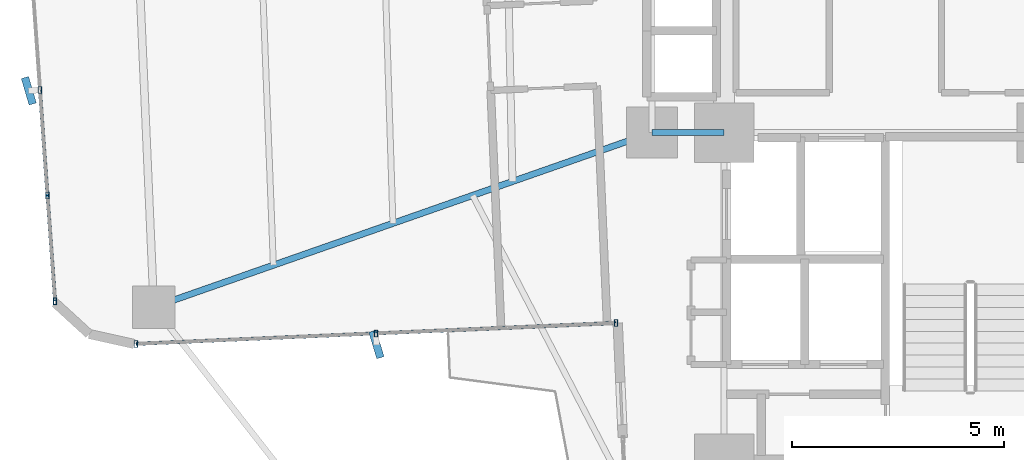
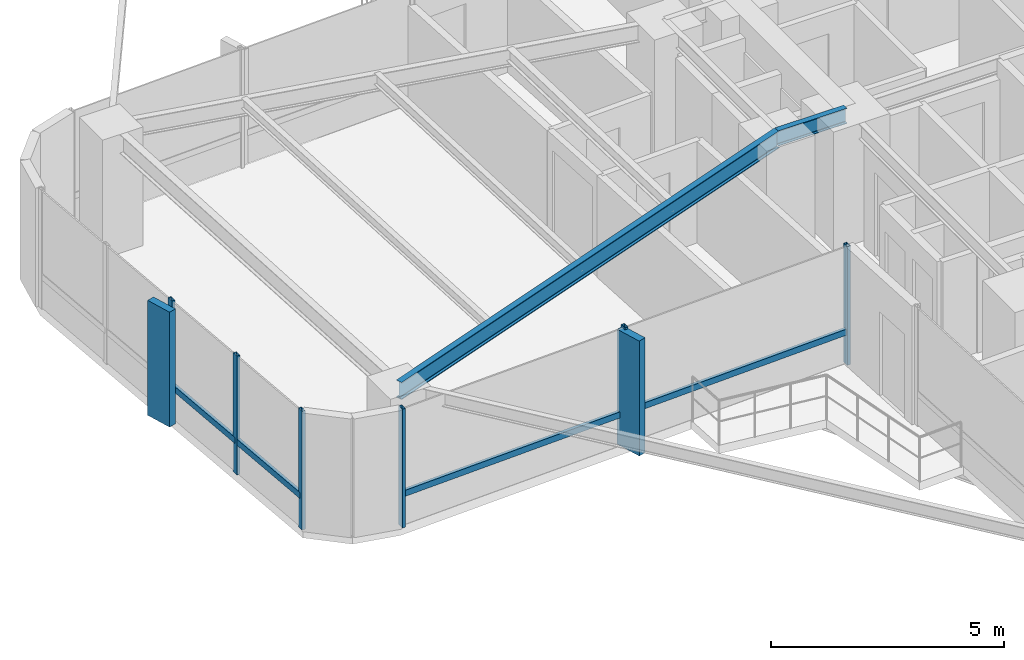
# One storey, part 8 of 26: 12 members, 2 beams, 2 elements without a shape of their own.
"""IFC4 building model written with IfcOpenShell, lengths in metres."""

from ifc_helpers import new_model, si_unit, direction, frame, origin, origin_2d, place, context, subcontext, project, spatial, rectangle, hollow_rectangle, i_section, extrude, source, transform, mapped, material, material_profile, profile_set, type_object, element, aggregate, save


model = new_model("IFC4")

# Units and contexts
model_context = context("Model", 3, precision=1e-05, world=origin(), true_north=direction((0.0, 1.0)))
body_context = subcontext(model_context, "Body", "Model", "MODEL_VIEW")
ifc_project = project(units=[si_unit("LENGTHUNIT", "METRE"), si_unit("AREAUNIT", "SQUARE_METRE"), si_unit("VOLUMEUNIT", "CUBIC_METRE"), si_unit("PLANEANGLEUNIT", "RADIAN"), si_unit("MASSUNIT", "GRAM", prefix="KILO")], contexts=[model_context])

# Site, building, storey
site_placement = place(None, origin())
site = spatial("IfcSite", under=ifc_project, at=site_placement, CompositionType="ELEMENT")
building_placement = place(site_placement, origin())
building = spatial("IfcBuilding", under=site, at=building_placement, Name="Sahyath Konkavel Grand Hotel", CompositionType="ELEMENT")
storey_placement = place(building_placement, frame((0.0, 0.0, 118.14990234375)))
storey = spatial("IfcBuildingStorey", under=building, at=storey_placement, Name="L32", CompositionType="ELEMENT", Elevation=118.14990234375)

# Beams
ifc_material_1 = material(Name="Steel E350", Category="steel")
ifc_material_profile_1 = material_profile(ifc_material_1, i_section(OverallWidth=0.139892578125, OverallDepth=0.39990234375, WebThickness=0.0087890625, FlangeThickness=0.01611328125, FilletRadius=0.013916015625, at=origin_2d()), Name="ISMB 400")
ifc_profile_set_1 = profile_set([ifc_material_profile_1], Name="Steel E350")
beam_type_1 = type_object("IfcBeamType", Name="BM-ISMB400", PredefinedType="BEAM", material=ifc_profile_set_1)
shared_shape_1 = source(origin(), body_context, "Body", "SweptSolid", [
    extrude(i_section(OverallWidth=0.139892578125, OverallDepth=0.39990234375, WebThickness=0.0087890625, FlangeThickness=0.01611328125, FilletRadius=0.013916015625, at=origin_2d()), origin(), (0.0, 0.0, 1.0), 1.699951171875),
])
beam_1_placement = place(storey_placement, frame((-5.5, -2.39990234375, 2.91015625), z_axis=(1.0, 0.0, 0.0), x_axis=(0.0, 1.0, 0.0)))
element("IfcBeam", 1, at=beam_1_placement, inside=storey, type_object=beam_type_1, Name="str:bm:L32:HB-SW", PredefinedType="BEAM", context=body_context, shape_type="MappedRepresentation", body=[
    mapped(shared_shape_1, transform((0.0, 0.0, 0.0), scale=1.0)),
])
ifc_material_profile_2 = material_profile(ifc_material_1, i_section(OverallWidth=0.14990234375, OverallDepth=0.449951171875, WebThickness=0.009521484375, FlangeThickness=0.017333984375, FilletRadius=0.014892578125, at=origin_2d()), Name="ISMB 450")
ifc_profile_set_2 = profile_set([ifc_material_profile_2], Name="Steel E350")
beam_type_2 = type_object("IfcBeamType", Name="BM-ISMB450", PredefinedType="BEAM", material=ifc_profile_set_2)
shared_shape_2 = source(origin(), body_context, "Body", "SweptSolid", [
    extrude(i_section(OverallWidth=0.14990234375, OverallDepth=0.449951171875, WebThickness=0.009521484375, FlangeThickness=0.017333984375, FilletRadius=0.014892578125, at=origin_2d()), origin(), (0.0, 0.0, 1.0), 12.430908203125),
])
beam_2_placement = place(storey_placement, frame((-5.5, -2.39990234375, 2.885009765625), z_axis=(-0.943819157235, -0.330462400941, 0.0), x_axis=(0.330462400941, -0.943819157235, 0.0)))
element("IfcBeam", 2, at=beam_2_placement, inside=storey, type_object=beam_type_2, Name="L32 Cruciform Radial Girder WB", PredefinedType="BEAM", context=body_context, shape_type="MappedRepresentation", body=[
    mapped(shared_shape_2, transform((0.0, 0.0, 0.0), scale=1.0)),
])

# Curtain wall, member
ifc_material_2 = material(Name="Anodised Bronze Aluminium & Low-E Glazing", Category="aluminium")
curtain_wall_type = type_object("IfcCurtainWallType", Name="CW-ZONE2", PredefinedType="NOTDEFINED", material=ifc_material_2)
curtain_wall_1_placement = place(storey_placement, origin())
curtain_wall_1 = element("IfcCurtainWall", 3, at=curtain_wall_1_placement, inside=storey, type_object=curtain_wall_type, Name="L32 Unitised Curtain Wall F20", PredefinedType="NOTDEFINED")
ifc_material_3 = material(Name="Warm Buff Sandstone Cladding on Concrete C50/60", Category="masonry")
ifc_material_profile_3 = material_profile(ifc_material_3, rectangle(XDim=0.179931640625, YDim=0.64990234375, at=origin_2d()), Name="FIN 180x650")
ifc_profile_set_3 = profile_set([ifc_material_profile_3], Name="Warm Buff Sandstone Cladding on Concrete C50/60")
member_type_1 = type_object("IfcMemberType", Name="FIN-SANDSTONE-650", PredefinedType="MULLION", material=ifc_profile_set_3)
shared_shape_3 = source(origin(), body_context, "Body", "SweptSolid", [
    extrude(rectangle(XDim=0.179931640625, YDim=0.64990234375, at=origin_2d()), origin(), (0.0, 0.0, 1.0), 3.010009765625),
])
member_1_placement = place(storey_placement, frame((-20.1767578125, -1.413818359375, 0.050048828125), z_axis=(0.0, 0.0, 1.0), x_axis=(0.959264682049, 0.282508884416, 0.0)))
member_1 = element("IfcMember", 4, at=member_1_placement, type_object=member_type_1, Name="L32 Sandstone Vertical Solar Fin FIN F20-2", PredefinedType="MULLION", context=body_context, shape_type="MappedRepresentation", body=[
    mapped(shared_shape_3, transform((0.0, 0.0, 0.0), scale=1.0)),
])

curtain_wall_2_placement = place(storey_placement, origin())
curtain_wall_2 = element("IfcCurtainWall", 5, at=curtain_wall_2_placement, inside=storey, type_object=curtain_wall_type, Name="L32 Unitised Curtain Wall F23", PredefinedType="NOTDEFINED")
member_2_placement = place(storey_placement, frame((-11.989013671875, -7.39013671875, 0.050048828125), z_axis=(0.0, 0.0, 1.0), x_axis=(0.957117481996, 0.289700061544, 0.0)))
member_2 = element("IfcMember", 6, at=member_2_placement, type_object=member_type_1, Name="L32 Sandstone Vertical Solar Fin FIN F23-1", PredefinedType="MULLION", context=body_context, shape_type="MappedRepresentation", body=[
    mapped(shared_shape_3, transform((0.0, 0.0, 0.0), scale=1.0)),
])

# Member
ifc_material_4 = material(Name="Anodised Bronze Aluminium", Category="aluminium")
ifc_material_profile_4 = material_profile(ifc_material_4, hollow_rectangle(XDim=0.080078125, YDim=0.159912109375, WallThickness=0.006103515625, at=origin_2d()), Name="RHS 160x80x6")
ifc_profile_set_4 = profile_set([ifc_material_profile_4], Name="Anodised Bronze Aluminium")
member_type_2 = type_object("IfcMemberType", Name="CW-MUL-160", PredefinedType="MULLION", material=ifc_profile_set_4)
shared_shape_4 = source(origin(), body_context, "Body", "SweptSolid", [
    extrude(hollow_rectangle(XDim=0.080078125, YDim=0.159912109375, WallThickness=0.006103515625, at=origin_2d()), origin(), (0.0, 0.0, 1.0), 3.110107421875),
])
member_3_placement = place(storey_placement, frame((-19.91748046875, -1.39501953125, 0.0), z_axis=(0.0, 0.0, 1.0), x_axis=(1.0, 0.0, 0.0)))
member_3 = element("IfcMember", 7, at=member_3_placement, type_object=member_type_2, Name="L32 Curtain Wall Mullion F20-2", PredefinedType="MULLION", context=body_context, shape_type="MappedRepresentation", body=[
    mapped(shared_shape_4, transform((0.0, 0.0, 0.0), scale=1.0)),
])

member_4_placement = place(storey_placement, frame((-19.739013671875, -3.882080078125, 0.0), z_axis=(0.0, 0.0, 1.0), x_axis=(1.0, 0.0, 0.0)))
member_4 = element("IfcMember", 8, at=member_4_placement, type_object=member_type_2, Name="L32 Curtain Wall Mullion F20-3", PredefinedType="MULLION", context=body_context, shape_type="MappedRepresentation", body=[
    mapped(shared_shape_4, transform((0.0, 0.0, 0.0), scale=1.0)),
])

member_5_placement = place(storey_placement, frame((-19.560546875, -6.369384765625, 0.0), z_axis=(0.0, 0.0, 1.0), x_axis=(1.0, 0.0, 0.0)))
member_5 = element("IfcMember", 9, at=member_5_placement, type_object=member_type_2, Name="L32 Curtain Wall Mullion F20-4", PredefinedType="MULLION", context=body_context, shape_type="MappedRepresentation", body=[
    mapped(shared_shape_4, transform((0.0, 0.0, 0.0), scale=1.0)),
])

member_6_placement = place(storey_placement, frame((-17.655029296875, -7.377197265625, 0.0), z_axis=(0.0, 0.0, 1.0), x_axis=(1.0, 0.0, 0.0)))
member_6 = element("IfcMember", 10, at=member_6_placement, type_object=member_type_2, Name="L32 Curtain Wall Mullion F23-0", PredefinedType="MULLION", context=body_context, shape_type="MappedRepresentation", body=[
    mapped(shared_shape_4, transform((0.0, 0.0, 0.0), scale=1.0)),
])

member_7_placement = place(storey_placement, frame((-12.00048828125, -7.13037109375, 0.0), z_axis=(0.0, 0.0, 1.0), x_axis=(1.0, 0.0, 0.0)))
member_7 = element("IfcMember", 11, at=member_7_placement, type_object=member_type_2, Name="L32 Curtain Wall Mullion F23-1", PredefinedType="MULLION", context=body_context, shape_type="MappedRepresentation", body=[
    mapped(shared_shape_4, transform((0.0, 0.0, 0.0), scale=1.0)),
])

member_8_placement = place(storey_placement, frame((-6.345703125, -6.88330078125, 0.0), z_axis=(0.0, 0.0, 1.0), x_axis=(1.0, 0.0, 0.0)))
member_8 = element("IfcMember", 12, at=member_8_placement, type_object=member_type_2, Name="L32 Curtain Wall Mullion F23-2", PredefinedType="MULLION", context=body_context, shape_type="MappedRepresentation", body=[
    mapped(shared_shape_4, transform((0.0, 0.0, 0.0), scale=1.0)),
])

ifc_material_profile_5 = material_profile(ifc_material_4, hollow_rectangle(XDim=0.080078125, YDim=0.159912109375, WallThickness=0.006103515625, at=origin_2d()), Name="RHS 160x80x6")
ifc_profile_set_5 = profile_set([ifc_material_profile_5], Name="Anodised Bronze Aluminium")
member_type_3 = type_object("IfcMemberType", Name="CW-TRN-160", PredefinedType="USERDEFINED", material=ifc_profile_set_5)
shared_shape_5 = source(origin(), body_context, "Body", "SweptSolid", [
    extrude(hollow_rectangle(XDim=0.080078125, YDim=0.159912109375, WallThickness=0.006103515625, at=origin_2d()), origin(), (0.0, 0.0, 1.0), 2.493408203125),
])
member_9_placement = place(storey_placement, frame((-19.91748046875, -1.39501953125, 0.85009765625), z_axis=(0.071574084062, -0.997435286367, 0.0), x_axis=(0.997435286367, 0.071574084062, 0.0)))
member_9 = element("IfcMember", 13, at=member_9_placement, type_object=member_type_3, Name="L32 Curtain Wall Transom F20-2-spandrel", ObjectType="TRANSOM", PredefinedType="USERDEFINED", context=body_context, shape_type="MappedRepresentation", body=[
    mapped(shared_shape_5, transform((0.0, 0.0, 0.0), scale=1.0)),
])

shared_shape_6 = source(origin(), body_context, "Body", "SweptSolid", [
    extrude(hollow_rectangle(XDim=0.080078125, YDim=0.159912109375, WallThickness=0.006103515625, at=origin_2d()), origin(), (0.0, 0.0, 1.0), 2.49365234375),
])
member_10_placement = place(storey_placement, frame((-19.739013671875, -3.882080078125, 0.85009765625), z_axis=(0.071567094714, -0.997435787885, 0.0), x_axis=(0.997435787885, 0.071567094714, 0.0)))
member_10 = element("IfcMember", 14, at=member_10_placement, type_object=member_type_3, Name="L32 Curtain Wall Transom F20-3-spandrel", ObjectType="TRANSOM", PredefinedType="USERDEFINED", context=body_context, shape_type="MappedRepresentation", body=[
    mapped(shared_shape_6, transform((0.0, 0.0, 0.0), scale=1.0)),
])

aggregate(curtain_wall_1, [member_3, member_1, member_4, member_5, member_9, member_10])

shared_shape_7 = source(origin(), body_context, "Body", "SweptSolid", [
    extrude(hollow_rectangle(XDim=0.080078125, YDim=0.159912109375, WallThickness=0.006103515625, at=origin_2d()), origin(), (0.0, 0.0, 1.0), 5.659912109375),
])
member_11_placement = place(storey_placement, frame((-17.655029296875, -7.377197265625, 0.85009765625), z_axis=(0.999048655935, 0.043609437898, 0.0), x_axis=(-0.043609437898, 0.999048655935, 0.0)))
member_11 = element("IfcMember", 15, at=member_11_placement, type_object=member_type_3, Name="L32 Curtain Wall Transom F23-0-spandrel", ObjectType="TRANSOM", PredefinedType="USERDEFINED", context=body_context, shape_type="MappedRepresentation", body=[
    mapped(shared_shape_7, transform((0.0, 0.0, 0.0), scale=1.0)),
])

shared_shape_8 = source(origin(), body_context, "Body", "SweptSolid", [
    extrude(hollow_rectangle(XDim=0.080078125, YDim=0.159912109375, WallThickness=0.006103515625, at=origin_2d()), origin(), (0.0, 0.0, 1.0), 5.66015625),
])
member_12_placement = place(storey_placement, frame((-12.00048828125, -7.13037109375, 0.85009765625), z_axis=(0.9990468579, 0.043650609628, 0.0), x_axis=(-0.043650609628, 0.9990468579, 0.0)))
member_12 = element("IfcMember", 16, at=member_12_placement, type_object=member_type_3, Name="L32 Curtain Wall Transom F23-1-spandrel", ObjectType="TRANSOM", PredefinedType="USERDEFINED", context=body_context, shape_type="MappedRepresentation", body=[
    mapped(shared_shape_8, transform((0.0, 0.0, 0.0), scale=1.0)),
])

aggregate(curtain_wall_2, [member_6, member_7, member_2, member_8, member_11, member_12])

save(model, "model.ifc")
